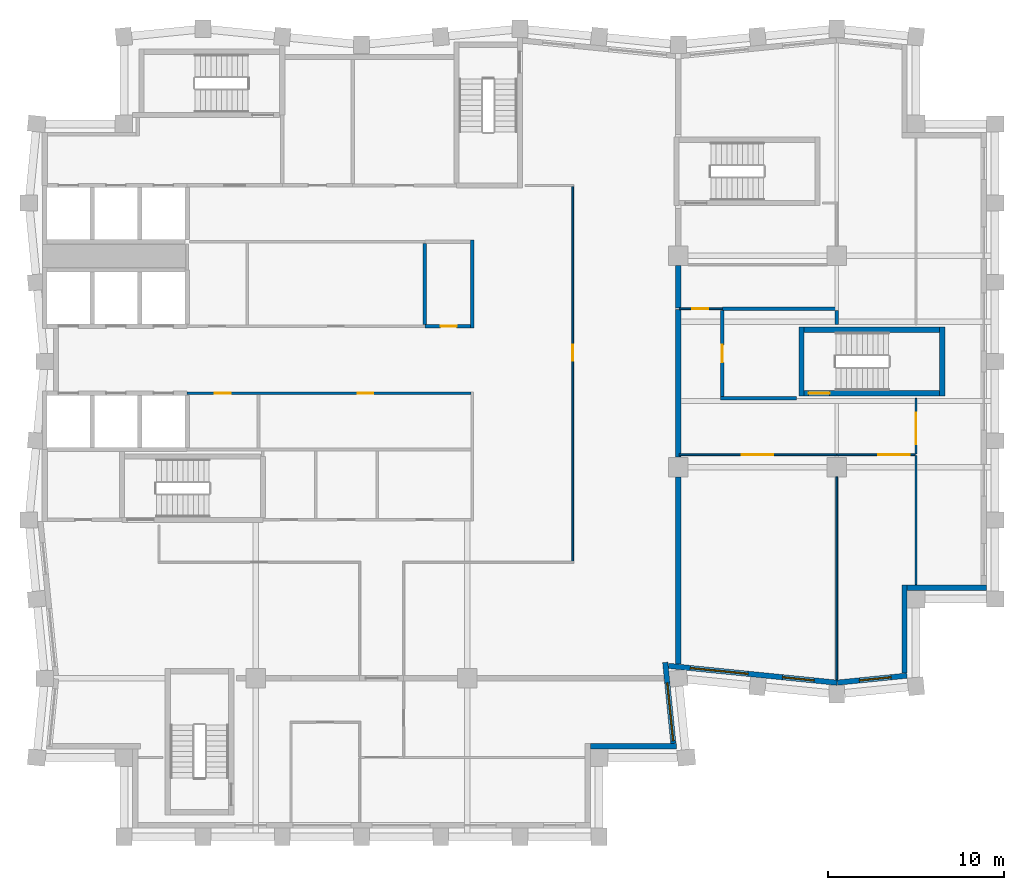
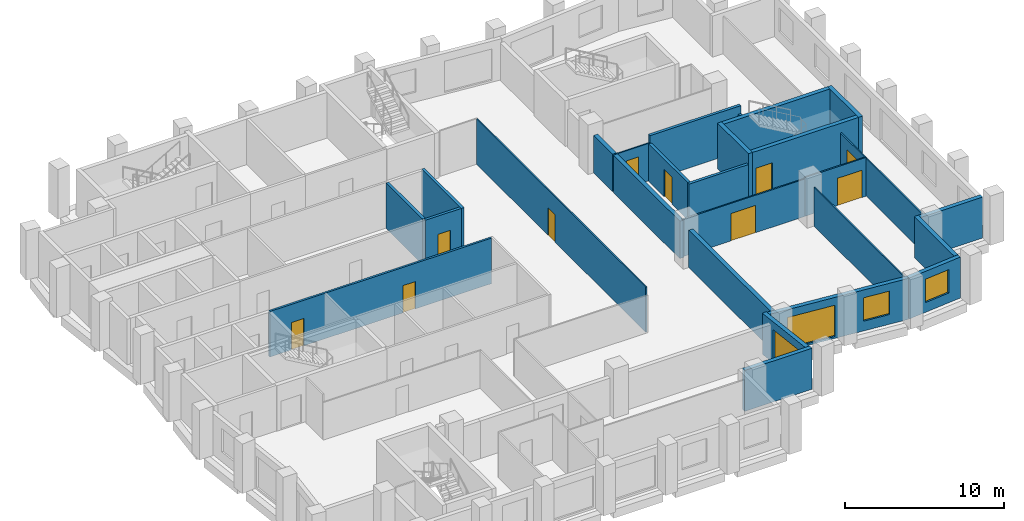
# One storey, part 4 of 7: 28 walls, 10 doors, 4 windows, 14 openings.
"""IFC4 building model written with IfcOpenShell, lengths in metres."""

import ifcopenshell
import ifcopenshell.guid

model = None  # the IFC model being written
_history = None  # IfcOwnerHistory: only IFC2X3 demands one
_inside = {}  # id of a spatial element -> (the spatial element, [elements in it])
_under = {}  # id of a project, library or spatial element -> (it, [spatial elements below it])
_declared = {}  # id of a project -> (the project, [libraries it declares])
_typed = {}  # id of a type object -> (the type object, [elements of that type])
_made_of = {}  # id of a material, layer set ... -> (it, [elements and type objects made of it])


def new_model(schema):
    """Start an empty IFC model of exactly this schema.

    Asked for "IFC4X3", IfcOpenShell would pick the latest addendum, in which some entities
    have other attributes; the version numbers below select the first issue.
    IFC2X3 requires an IfcOwnerHistory on every rooted entity: one is made here for all.
    """
    global model, _history
    if schema == "IFC4X3":
        model = ifcopenshell.file(schema_version=(4, 3, 0, 0))
    else:
        model = ifcopenshell.file(schema=schema)
    _inside.clear()
    _under.clear()
    _declared.clear()
    _typed.clear()
    _made_of.clear()
    _history = None
    if model.schema == "IFC2X3":
        org = make("IfcOrganization", Name="unknown")
        user = make(
            "IfcPersonAndOrganization",
            ThePerson=make("IfcPerson", FamilyName="unknown"),
            TheOrganization=org,
        )
        app = make(
            "IfcApplication",
            ApplicationDeveloper=org,
            Version="unknown",
            ApplicationFullName="unknown",
            ApplicationIdentifier="unknown",
        )
        _history = make(
            "IfcOwnerHistory",
            OwningUser=user,
            OwningApplication=app,
            ChangeAction="ADDED",
            CreationDate=0,
        )
    return model


def make(cls, **values):
    """One entity of the class cls with the attributes given. An attribute that is None is left unset."""
    return model.create_entity(
        cls, **{name: value for name, value in values.items() if value is not None}
    )


def rooted(cls, **values):
    """An entity with a GlobalId (a new one), such as an element, a storey or a relation."""
    return make(cls, GlobalId=ifcopenshell.guid.new(), OwnerHistory=_history, **values)


def si_unit(unit_type, name, prefix=None):
    """IfcSIUnit, for example si_unit("LENGTHUNIT", "METRE", prefix="MILLI")."""
    return make("IfcSIUnit", UnitType=unit_type, Prefix=prefix, Name=name)


def assignment(units):
    """IfcUnitAssignment: the units of a project."""
    return None if units is None else make("IfcUnitAssignment", Units=units)


def point(xyz):
    """IfcCartesianPoint."""
    return None if xyz is None else make("IfcCartesianPoint", Coordinates=xyz)


def direction(xyz):
    """IfcDirection."""
    return None if xyz is None else make("IfcDirection", DirectionRatios=xyz)


def frame(location, z_axis=None, x_axis=None):
    """IfcAxis2Placement3D, a coordinate frame: its origin and axes. An axis left out is left unset."""
    return make(
        "IfcAxis2Placement3D",
        Location=point(location),
        Axis=direction(z_axis),
        RefDirection=direction(x_axis),
    )


def frame_2d(location, x_axis=None):
    """IfcAxis2Placement2D, a coordinate frame in the plane: its origin and x axis."""
    return make(
        "IfcAxis2Placement2D", Location=point(location), RefDirection=direction(x_axis)
    )


def origin():
    """The frame at (0, 0, 0) with its axes left unset."""
    return frame((0.0, 0.0, 0.0))


def place(relative_to, where):
    """IfcLocalPlacement: puts the frame where relative to a parent placement (None: the world)."""
    return make(
        "IfcLocalPlacement", PlacementRelTo=relative_to, RelativePlacement=where
    )


def context(
    kind, dimensions, precision=None, world=None, true_north=None, identifier=None
):
    """IfcGeometricRepresentationContext, for example the 3D "Model" context."""
    return make(
        "IfcGeometricRepresentationContext",
        ContextIdentifier=identifier,
        ContextType=kind,
        CoordinateSpaceDimension=dimensions,
        Precision=precision,
        WorldCoordinateSystem=world,
        TrueNorth=true_north,
    )


def subcontext(parent, identifier, kind, view, scale=None):
    """IfcGeometricRepresentationSubContext, for example "Body" below "Model"."""
    return make(
        "IfcGeometricRepresentationSubContext",
        ContextIdentifier=identifier,
        ContextType=kind,
        ParentContext=parent,
        TargetScale=scale,
        TargetView=view,
    )


def project(units=None, contexts=None):
    """IfcProject with its units and contexts."""
    return rooted(
        "IfcProject",
        Name="project",
        RepresentationContexts=contexts,
        UnitsInContext=assignment(units),
    )


def spatial(cls, under=None, at=None, **own):
    """A site, building, storey or space (cls), placed at a placement, below another one or the project."""
    s = rooted(cls, ObjectPlacement=at, **own)
    if under is not None:
        _under.setdefault(under.id(), (under, []))[1].append(s)
    return s


def profile(cls, at=None, kind="AREA", **sizes):
    """A parametric profile (cls). Its sizes go by their IFC names, for example OverallWidth=200.0."""
    return make(cls, ProfileType=kind, Position=at, **sizes)


def rectangle(**sizes):
    """IfcRectangleProfileDef."""
    return profile("IfcRectangleProfileDef", **sizes)


def extrude(swept, where, along, depth):
    """IfcExtrudedAreaSolid: the profile swept, set in the frame where, extruded along a direction by depth."""
    return make(
        "IfcExtrudedAreaSolid",
        SweptArea=swept,
        Position=where,
        ExtrudedDirection=direction(along),
        Depth=depth,
    )


def shape(context_of_items, identifier, shape_type, items):
    """IfcShapeRepresentation: the items that make up one representation, for example the "Body"."""
    return make(
        "IfcShapeRepresentation",
        ContextOfItems=context_of_items,
        RepresentationIdentifier=identifier,
        RepresentationType=shape_type,
        Items=items,
    )


def material(Name=None, Category=None):
    """IfcMaterial."""
    return make("IfcMaterial", Name=Name, Category=Category)


def layer(
    of_material, thickness, ventilated=None, Name=None, Category=None, Priority=None
):
    """IfcMaterialLayer: one layer of a wall or slab, of a material (None: an air gap)."""
    return make(
        "IfcMaterialLayer",
        Material=of_material,
        LayerThickness=thickness,
        IsVentilated=ventilated,
        Name=Name,
        Category=Category,
        Priority=Priority,
    )


def layer_set(layers, Name=None):
    """IfcMaterialLayerSet."""
    return make("IfcMaterialLayerSet", MaterialLayers=layers, LayerSetName=Name)


def made_of(thing, what):
    """Note that an element or type object is made of a material, layer set ...; save() writes the relation."""
    if what is not None:
        _made_of.setdefault(what.id(), (what, []))[1].append(thing)
    return thing


def type_object(cls, material=None, **own):
    """A type object (cls), such as IfcWallType, which elements share."""
    return made_of(rooted(cls, **own), material)


def element(
    cls,
    number,
    at=None,
    inside=None,
    cuts=None,
    type_object=None,
    material=None,
    context=None,
    identifier="Body",
    shape_type=None,
    held_by="IfcProductDefinitionShape",
    body=None,
    shapes=None,
    **own,
):
    """One element of the class cls, such as IfcWall. Its Tag is "e" and its number.

    at: its placement. inside: the storey or other place that contains it. cuts: it is an
    opening in that element (IfcRelVoidsElement). A single representation is given by context,
    identifier, shape_type and body (its items); several are given by shapes. held_by: the class
    of the entity that holds the representations. save() writes the other relations.
    """
    e = rooted(cls, Tag="e%d" % number, ObjectPlacement=at, **own)
    if body is not None:
        shapes = [shape(context, identifier, shape_type, body)]
    if shapes is not None:
        e.Representation = make(held_by, Representations=shapes)
    if inside is not None:
        _inside.setdefault(inside.id(), (inside, []))[1].append(e)
    if cuts is not None:
        rooted(
            "IfcRelVoidsElement", RelatingBuildingElement=cuts, RelatedOpeningElement=e
        )
    if type_object is not None:
        _typed.setdefault(type_object.id(), (type_object, []))[1].append(e)
    return made_of(e, material)


def fill(opening, filler):
    """IfcRelFillsElement: the door or window that sits in an opening."""
    return rooted(
        "IfcRelFillsElement",
        RelatingOpeningElement=opening,
        RelatedBuildingElement=filler,
    )


def aggregate(whole, parts):
    """IfcRelAggregates: a whole, such as a stair, and the parts it consists of."""
    return rooted("IfcRelAggregates", RelatingObject=whole, RelatedObjects=parts)


def save(model, path):
    """Write the relations noted so far, then the file.

    IfcRelAggregates (storeys below a building ...), IfcRelContainedInSpatialStructure (elements
    in a storey), IfcRelDefinesByType, IfcRelAssociatesMaterial and IfcRelDeclares: one each for
    every whole, place, type object, material and project.
    """
    for whole, parts in _under.values():
        aggregate(whole, parts)
    for where, things in _inside.values():
        rooted(
            "IfcRelContainedInSpatialStructure",
            RelatedElements=things,
            RelatingStructure=where,
        )
    for kind, things in _typed.values():
        rooted("IfcRelDefinesByType", RelatedObjects=things, RelatingType=kind)
    for what, things in _made_of.values():
        rooted("IfcRelAssociatesMaterial", RelatedObjects=things, RelatingMaterial=what)
    for by, libraries in _declared.values():
        rooted("IfcRelDeclares", RelatingContext=by, RelatedDefinitions=libraries)
    model.write(path)


model = new_model("IFC4")

# Units and contexts
model_context = context("Model", 3, precision=1e-05, world=origin(), true_north=direction((0.0, 1.0)))
body_context = subcontext(model_context, "Body", "Model", "MODEL_VIEW")
ifc_project = project(units=[si_unit("LENGTHUNIT", "METRE"), si_unit("AREAUNIT", "SQUARE_METRE"), si_unit("VOLUMEUNIT", "CUBIC_METRE"), si_unit("PLANEANGLEUNIT", "RADIAN"), si_unit("MASSUNIT", "GRAM", prefix="KILO")], contexts=[model_context])

# Site, building, storey
site_placement = place(None, origin())
site = spatial("IfcSite", under=ifc_project, at=site_placement, CompositionType="ELEMENT")
building_placement = place(site_placement, origin())
building = spatial("IfcBuilding", under=site, at=building_placement, Name="Brondeck Convention Tower", CompositionType="ELEMENT")
storey_placement = place(building_placement, frame((0.0, 0.0, 206.39990234375)))
storey = spatial("IfcBuildingStorey", under=building, at=storey_placement, Name="L50", CompositionType="ELEMENT", Elevation=206.39990234375)

# Walls
ifc_material_1 = material(Name="Concrete compartment wall C30/37", Category="concrete")
ifc_layer_1 = layer(ifc_material_1, 0.300048828125)
ifc_layer_set_1 = layer_set([ifc_layer_1], Name="Compartment wall 300")
wall_type_1 = type_object("IfcWallType", Name="Compartment wall 300", PredefinedType="PARTITIONING", material=ifc_layer_set_1)
wall_1_placement = place(storey_placement, frame((36.0, 27.823974609375, 0.0), z_axis=(0.0, 0.0, 1.0), x_axis=(0.0, 1.0, 0.0)))
element("IfcWall", 1, at=wall_1_placement, inside=storey, type_object=wall_type_1, Name="FLR-L50-W021", PredefinedType="PARTITIONING", context=body_context, shape_type="SweptSolid", body=[
    extrude(rectangle(XDim=10.62109375, YDim=0.300048828125, at=frame_2d((5.310546875, 0.0))), origin(), (0.0, 0.0, 1.0), 2.880126953125),
])
wall_2_placement = place(storey_placement, frame((36.0, 39.570068359375, 0.0), z_axis=(0.0, 0.0, 1.0), x_axis=(0.0, 1.0, 0.0)))
element("IfcWall", 2, at=wall_2_placement, inside=storey, type_object=wall_type_1, Name="FLR-L50-W031", PredefinedType="PARTITIONING", context=body_context, shape_type="SweptSolid", body=[
    extrude(rectangle(XDim=8.3798828125, YDim=0.300048828125, at=frame_2d((4.18994140625, 0.0))), origin(), (0.0, 0.0, 1.0), 2.880126953125),
])
wall_3_placement = place(storey_placement, frame((36.0, 48.050048828125, 0.0), z_axis=(0.0, 0.0, 1.0), x_axis=(0.0, 1.0, 0.0)))
element("IfcWall", 3, at=wall_3_placement, inside=storey, type_object=wall_type_1, Name="FLR-L50-W039", PredefinedType="PARTITIONING", context=body_context, shape_type="SweptSolid", body=[
    extrude(rectangle(XDim=2.39501953125, YDim=0.300048828125, at=frame_2d((1.197509765625, 0.0))), origin(), (0.0, 0.0, 1.0), 2.880126953125),
])
ifc_material_2 = material(Name="Concrete C50/60", Category="concrete")
ifc_layer_2 = layer(ifc_material_2, 0.199951171875)
ifc_layer_set_2 = layer_set([ifc_layer_2], Name="Core beam-seat wall 200 Concrete C50/60")
wall_type_2 = type_object("IfcWallType", Name="Core beam-seat wall 200 Concrete C50/60", PredefinedType="SHEAR", material=ifc_layer_set_2)
wall_4_placement = place(storey_placement, frame((24.300048828125, 46.89990234375, 0.0), z_axis=(0.0, 0.0, 1.0), x_axis=(0.0, 1.0, 0.0)))
element("IfcWall", 4, at=wall_4_placement, inside=storey, type_object=wall_type_2, Name="L50 core wall", PredefinedType="SHEAR", context=body_context, shape_type="SweptSolid", body=[
    extrude(rectangle(XDim=5.0, YDim=0.199951171875, at=frame_2d((2.5, 0.0))), origin(), (0.0, 0.0, 1.0), 3.5),
])

# Wall, openings, doors
ifc_material_3 = material(Name="Fire-rated gypsum board partition")
ifc_layer_3 = layer(ifc_material_3, 0.14990234375)
ifc_layer_set_3 = layer_set([ifc_layer_3], Name="Core partition 150 EI 60")
wall_type_3 = type_object("IfcWallType", Name="Core partition 150 EI 60", PredefinedType="PARTITIONING", material=ifc_layer_set_3)
wall_5_placement = place(storey_placement, frame((8.10009765625, 43.199951171875, 0.0), z_axis=(0.0, 0.0, 1.0), x_axis=(1.0, 0.0, 0.0)))
wall_5 = element("IfcWall", 5, at=wall_5_placement, inside=storey, type_object=wall_type_3, Name="L50 core wall", PredefinedType="PARTITIONING", context=body_context, shape_type="SweptSolid", body=[
    extrude(rectangle(XDim=16.125, YDim=0.14990234375, at=frame_2d((8.0625, 0.0))), origin(), (0.0, 0.0, 1.0), 3.5),
])
opening_1_placement = place(wall_5_placement, frame((1.574951171875, 0.0, 0.0)))
opening_1 = element("IfcOpeningElement", 6, at=opening_1_placement, cuts=wall_5, Name="Opening C28-09", PredefinedType="OPENING", context=body_context, shape_type="SweptSolid", body=[
    extrude(rectangle(XDim=0.89990234375, YDim=2.10009765625, at=frame_2d((0.449951171875, 1.050048828125))), frame((0.0, 0.0849609375, 0.0), z_axis=(0.0, -1.0, 0.0), x_axis=(1.0, 0.0, 0.0)), (0.0, 0.0, 1.0), 0.169921875),
])
opening_2_placement = place(wall_5_placement, frame((9.675048828125, 0.0, 0.0)))
opening_2 = element("IfcOpeningElement", 7, at=opening_2_placement, cuts=wall_5, Name="Opening C28-10", PredefinedType="OPENING", context=body_context, shape_type="SweptSolid", body=[
    extrude(rectangle(XDim=0.89990234375, YDim=2.10009765625, at=frame_2d((0.449951171875, 1.050048828125))), frame((0.0, 0.0849609375, 0.0), z_axis=(0.0, -1.0, 0.0), x_axis=(1.0, 0.0, 0.0)), (0.0, 0.0, 1.0), 0.169921875),
])
ifc_material_4 = material(Name="Steel fire door", Category="steel")
door_type_1 = type_object("IfcDoorType", Name="Room door 900x2100 EI 60", OperationType="NOTDEFINED", PredefinedType="DOOR", material=ifc_material_4)
door_1_placement = place(opening_1_placement, origin())
door_1 = element("IfcDoor", 8, at=door_1_placement, inside=storey, type_object=door_type_1, Name="L50 Room door FZ-S-8.1-1", OperationType="SINGLE_SWING_RIGHT", OverallHeight=2.10009765625, OverallWidth=0.89990234375, PredefinedType="DOOR", context=body_context, shape_type="SweptSolid", body=[
    extrude(rectangle(XDim=0.89990234375, YDim=2.10009765625, at=frame_2d((0.449951171875, 1.050048828125))), frame((0.0, 0.02490234375, 0.0), z_axis=(0.0, -1.0, 0.0), x_axis=(1.0, 0.0, 0.0)), (0.0, 0.0, 1.0), 0.050048828125),
])
fill(opening_1, door_1)
door_2_placement = place(opening_2_placement, origin())
door_2 = element("IfcDoor", 9, at=door_2_placement, inside=storey, type_object=door_type_1, Name="L50 Room door FZ-S-8.1-2", OperationType="SINGLE_SWING_LEFT", OverallHeight=2.10009765625, OverallWidth=0.89990234375, PredefinedType="DOOR", context=body_context, shape_type="SweptSolid", body=[
    extrude(rectangle(XDim=0.89990234375, YDim=2.10009765625, at=frame_2d((0.449951171875, 1.050048828125))), frame((0.0, 0.02490234375, 0.0), z_axis=(0.0, -1.0, 0.0), x_axis=(1.0, 0.0, 0.0)), (0.0, 0.0, 1.0), 0.050048828125),
])
fill(opening_2, door_2)

# Wall
ifc_material_5 = material(Name="Precast concrete C50/60 bronze finish", Category="concrete")
ifc_layer_4 = layer(ifc_material_5, 0.070068359375, Name="Bronze precast facing")
ifc_material_6 = material(Name="Mineral wool")
ifc_layer_5 = layer(ifc_material_6, 0.159912109375, Name="Insulation")
ifc_material_7 = material(Name="Concrete C35/45", Category="concrete")
ifc_layer_6 = layer(ifc_material_7, 0.070068359375, Name="Backing")
ifc_layer_set_4 = layer_set([ifc_layer_4, ifc_layer_5, ifc_layer_6], Name="External infill wall, precast concrete C50/60 bronze facing")
wall_type_4 = type_object("IfcWallType", Name="External infill wall, precast concrete C50/60 bronze facing", PredefinedType="SOLIDWALL", material=ifc_layer_set_4)
wall_6_placement = place(storey_placement, frame((35.8974609375, 23.14990234375, 0.0), z_axis=(0.0, 0.0, 1.0), x_axis=(-1.0, 0.0, 0.0)))
element("IfcWall", 10, at=wall_6_placement, inside=storey, type_object=wall_type_4, Name="ENV-EW-L50-P2-NC-SEB18-02", PredefinedType="SOLIDWALL", context=body_context, shape_type="SweptSolid", body=[
    extrude(rectangle(XDim=4.8974609375, YDim=0.300048828125, at=frame_2d((2.44873046875, 0.0))), origin(), (0.0, 0.0, 1.0), 3.150146484375),
])

# Wall, opening, window
wall_7_placement = place(storey_placement, frame((35.255859375, 27.908203125, 0.0), z_axis=(0.0, 0.0, 1.0), x_axis=(0.099535070904, -0.995034054523, 0.0)))
wall_7 = element("IfcWall", 11, at=wall_7_placement, inside=storey, type_object=wall_type_4, Name="ENV-EW-L50-P2-B-E-00", PredefinedType="SOLIDWALL", context=body_context, shape_type="SweptSolid", body=[
    extrude(rectangle(XDim=4.6259765625, YDim=0.300048828125, at=frame_2d((2.31298828125, 0.0))), origin(), (0.0, 0.0, 1.0), 3.150146484375),
])
opening_3_placement = place(wall_7_placement, frame((1.176025390625, 0.0, 0.14990234375)))
opening_3 = element("IfcOpeningElement", 12, at=opening_3_placement, cuts=wall_7, Name="Opening W9", PredefinedType="OPENING", context=body_context, shape_type="SweptSolid", body=[
    extrude(rectangle(XDim=3.300048828125, YDim=2.39990234375, at=frame_2d((1.64990234375, 1.199951171875))), frame((0.0, 0.159912109375, 0.0), z_axis=(0.0, -1.0, 0.0), x_axis=(1.0, 0.0, 0.0)), (0.0, 0.0, 1.0), 0.320068359375),
])
ifc_material_8 = material(Name="Bronze tinted double glazing", Category="glass")
window_type_1 = type_object("IfcWindowType", Name="Glazed flute window, bronze tinted", PartitioningType="SINGLE_PANEL", PredefinedType="WINDOW", material=ifc_material_8)
window_1_placement = place(opening_3_placement, origin())
window_1 = element("IfcWindow", 13, at=window_1_placement, inside=storey, type_object=window_type_1, Name="ENV-WN-L50-P2-B-E-00", OverallHeight=2.39990234375, OverallWidth=3.300048828125, PartitioningType="SINGLE_PANEL", PredefinedType="WINDOW", context=body_context, shape_type="SweptSolid", body=[
    extrude(rectangle(XDim=3.300048828125, YDim=2.39990234375, at=frame_2d((1.64990234375, 1.199951171875))), frame((0.0, 0.030029296875, 0.0), z_axis=(0.0, -1.0, 0.0), x_axis=(1.0, 0.0, 0.0)), (0.0, 0.0, 1.0), 0.06005859375),
])
fill(opening_3, window_1)

# Wall, openings, windows
wall_8_placement = place(storey_placement, frame((45.014892578125, 26.751708984375, 0.0), z_axis=(0.0, 0.0, 1.0), x_axis=(-0.9950379439, 0.099496181828, 0.0)))
wall_8 = element("IfcWall", 14, at=wall_8_placement, inside=storey, type_object=wall_type_4, Name="ENV-EW-L50-P2-A-S-00", PredefinedType="SOLIDWALL", context=body_context, shape_type="SweptSolid", body=[
    extrude(rectangle(XDim=9.621337890625, YDim=0.300048828125, at=frame_2d((4.810546875, 0.0))), origin(), (0.0, 0.0, 1.0), 3.150146484375),
])
opening_4_placement = place(wall_8_placement, frame((1.311279296875, 0.0, 0.75)))
opening_4 = element("IfcOpeningElement", 15, at=opening_4_placement, cuts=wall_8, Name="Opening W10", PredefinedType="OPENING", context=body_context, shape_type="SweptSolid", body=[
    extrude(rectangle(XDim=1.800048828125, YDim=1.800048828125, at=frame_2d((0.89990234375, 0.89990234375))), frame((0.0, 0.159912109375, 0.0), z_axis=(0.0, -1.0, 0.0), x_axis=(1.0, 0.0, 0.0)), (0.0, 0.0, 1.0), 0.320068359375),
])
opening_5_placement = place(wall_8_placement, frame((5.08349609375, 0.0, 0.14990234375)))
opening_5 = element("IfcOpeningElement", 16, at=opening_5_placement, cuts=wall_8, Name="Opening W9", PredefinedType="OPENING", context=body_context, shape_type="SweptSolid", body=[
    extrude(rectangle(XDim=3.300048828125, YDim=2.39990234375, at=frame_2d((1.64990234375, 1.199951171875))), frame((0.0, 0.159912109375, 0.0), z_axis=(0.0, -1.0, 0.0), x_axis=(1.0, 0.0, 0.0)), (0.0, 0.0, 1.0), 0.320068359375),
])
window_2_placement = place(opening_5_placement, origin())
window_2 = element("IfcWindow", 17, at=window_2_placement, inside=storey, type_object=window_type_1, Name="ENV-WN-L50-P2-A-S-00", OverallHeight=2.39990234375, OverallWidth=3.300048828125, PartitioningType="SINGLE_PANEL", PredefinedType="WINDOW", context=body_context, shape_type="SweptSolid", body=[
    extrude(rectangle(XDim=3.300048828125, YDim=2.39990234375, at=frame_2d((1.64990234375, 1.199951171875))), frame((0.0, 0.030029296875, 0.0), z_axis=(0.0, -1.0, 0.0), x_axis=(1.0, 0.0, 0.0)), (0.0, 0.0, 1.0), 0.06005859375),
])
fill(opening_5, window_2)
window_type_2 = type_object("IfcWindowType", Name="Punched window, bronze tinted", PartitioningType="SINGLE_PANEL", PredefinedType="WINDOW", material=ifc_material_8)
window_3_placement = place(opening_4_placement, origin())
window_3 = element("IfcWindow", 18, at=window_3_placement, inside=storey, type_object=window_type_2, Name="ENV-WN-L50-P2-A-S-01", OverallHeight=1.800048828125, OverallWidth=1.800048828125, PartitioningType="SINGLE_PANEL", PredefinedType="WINDOW", context=body_context, shape_type="SweptSolid", body=[
    extrude(rectangle(XDim=1.800048828125, YDim=1.800048828125, at=frame_2d((0.89990234375, 0.89990234375))), frame((0.0, 0.030029296875, 0.0), z_axis=(0.0, -1.0, 0.0), x_axis=(1.0, 0.0, 0.0)), (0.0, 0.0, 1.0), 0.06005859375),
])
fill(opening_4, window_3)

# Wall, opening, window
wall_9_placement = place(storey_placement, frame((48.985107421875, 27.151611328125, 0.0), z_axis=(0.0, 0.0, 1.0), x_axis=(-0.995037798293, -0.099497638, 0.0)))
wall_9 = element("IfcWall", 19, at=wall_9_placement, inside=storey, type_object=wall_type_4, Name="ENV-EW-L50-P2-A-S-02", PredefinedType="SOLIDWALL", context=body_context, shape_type="SweptSolid", body=[
    extrude(rectangle(XDim=3.97509765625, YDim=0.300048828125, at=frame_2d((1.987548828125, 0.0))), origin(), (0.0, 0.0, 1.0), 3.150146484375),
])
opening_6_placement = place(wall_9_placement, frame((0.90869140625, 0.0, 0.75)))
opening_6 = element("IfcOpeningElement", 20, at=opening_6_placement, cuts=wall_9, Name="Opening W10", PredefinedType="OPENING", context=body_context, shape_type="SweptSolid", body=[
    extrude(rectangle(XDim=1.800048828125, YDim=1.800048828125, at=frame_2d((0.89990234375, 0.89990234375))), frame((0.0, 0.159912109375, 0.0), z_axis=(0.0, -1.0, 0.0), x_axis=(1.0, 0.0, 0.0)), (0.0, 0.0, 1.0), 0.320068359375),
])
window_4_placement = place(opening_6_placement, origin())
window_4 = element("IfcWindow", 21, at=window_4_placement, inside=storey, type_object=window_type_2, Name="ENV-WN-L50-P2-A-S-02", OverallHeight=1.800048828125, OverallWidth=1.800048828125, PartitioningType="SINGLE_PANEL", PredefinedType="WINDOW", context=body_context, shape_type="SweptSolid", body=[
    extrude(rectangle(XDim=1.800048828125, YDim=1.800048828125, at=frame_2d((0.89990234375, 0.89990234375))), frame((0.0, 0.030029296875, 0.0), z_axis=(0.0, -1.0, 0.0), x_axis=(1.0, 0.0, 0.0)), (0.0, 0.0, 1.0), 0.06005859375),
])
fill(opening_6, window_4)

# Walls
wall_10_placement = place(storey_placement, frame((48.85009765625, 32.300048828125, 0.0), z_axis=(0.0, 0.0, 1.0), x_axis=(0.0, -1.0, 0.0)))
element("IfcWall", 22, at=wall_10_placement, inside=storey, type_object=wall_type_4, Name="ENV-EW-L50-P2-NC-SEA54-01", PredefinedType="SOLIDWALL", context=body_context, shape_type="SweptSolid", body=[
    extrude(rectangle(XDim=5.009765625, YDim=0.300048828125, at=frame_2d((2.5048828125, 0.0))), origin(), (0.0, 0.0, 1.0), 3.150146484375),
])
wall_11_placement = place(storey_placement, frame((53.5, 32.14990234375, 0.0), z_axis=(0.0, 0.0, 1.0), x_axis=(-1.0, 0.0, 0.0)))
element("IfcWall", 23, at=wall_11_placement, inside=storey, type_object=wall_type_4, Name="ENV-EW-L50-P2-NC-SEA54-02", PredefinedType="SOLIDWALL", context=body_context, shape_type="SweptSolid", body=[
    extrude(rectangle(XDim=4.501953125, YDim=0.300048828125, at=frame_2d((2.2509765625, 0.0))), origin(), (0.0, 0.0, 1.0), 3.150146484375),
])
ifc_material_9 = material(Name="Concrete block wall C16/20", Category="concrete")
ifc_layer_7 = layer(ifc_material_9, 0.199951171875)
ifc_layer_set_5 = layer_set([ifc_layer_7], Name="Plant room wall 200")
wall_type_5 = type_object("IfcWallType", Name="Plant room wall 200", PredefinedType="PARTITIONING", material=ifc_layer_set_5)
wall_12_placement = place(storey_placement, frame((38.39990234375, 42.89990234375, 0.0), z_axis=(0.0, 0.0, 1.0), x_axis=(1.0, 0.0, 0.0)))
element("IfcWall", 24, at=wall_12_placement, inside=storey, type_object=wall_type_5, Name="FLR-L50-W032", PredefinedType="PARTITIONING", context=body_context, shape_type="SweptSolid", body=[
    extrude(rectangle(XDim=4.300048828125, YDim=0.199951171875, at=frame_2d((2.14990234375, 0.0))), origin(), (0.0, 0.0, 1.0), 2.880126953125),
])

# Wall, opening, door
wall_13_placement = place(storey_placement, frame((38.5, 47.89990234375, 0.0), z_axis=(0.0, 0.0, 1.0), x_axis=(0.0, -1.0, 0.0)))
wall_13 = element("IfcWall", 25, at=wall_13_placement, inside=storey, type_object=wall_type_5, Name="FLR-L50-W035", PredefinedType="PARTITIONING", context=body_context, shape_type="SweptSolid", body=[
    extrude(rectangle(XDim=4.89990234375, YDim=0.199951171875, at=frame_2d((2.449951171875, 0.0))), origin(), (0.0, 0.0, 1.0), 2.880126953125),
])
opening_7_placement = place(wall_13_placement, frame((1.949951171875, 0.0, 0.0)))
opening_7 = element("IfcOpeningElement", 26, at=opening_7_placement, cuts=wall_13, Name="Opening OF-K2-001", PredefinedType="OPENING", context=body_context, shape_type="SweptSolid", body=[
    extrude(rectangle(XDim=1.0, YDim=2.10009765625, at=frame_2d((0.5, 1.050048828125))), frame((0.0, 0.10986328125, 0.0), z_axis=(0.0, -1.0, 0.0), x_axis=(1.0, 0.0, 0.0)), (0.0, 0.0, 1.0), 0.219970703125),
])
ifc_material_10 = material(Name="Steel fire door leaf", Category="steel")
door_type_2 = type_object("IfcDoorType", Name="Plant room door 1000", OperationType="NOTDEFINED", PredefinedType="DOOR", material=ifc_material_10)
door_3_placement = place(opening_7_placement, origin())
door_3 = element("IfcDoor", 27, at=door_3_placement, inside=storey, type_object=door_type_2, Name="Door OF-K2-001", OperationType="SINGLE_SWING_RIGHT", OverallHeight=2.10009765625, OverallWidth=1.0, PredefinedType="DOOR", context=body_context, shape_type="SweptSolid", body=[
    extrude(rectangle(XDim=1.0, YDim=2.10009765625, at=frame_2d((0.5, 1.050048828125))), frame((0.0, 0.02490234375, 0.0), z_axis=(0.0, -1.0, 0.0), x_axis=(1.0, 0.0, 0.0)), (0.0, 0.0, 1.0), 0.050048828125),
])
fill(opening_7, door_3)

# Walls
wall_14_placement = place(storey_placement, frame((45.0, 47.89990234375, 0.0), z_axis=(0.0, 0.0, 1.0), x_axis=(0.0, -1.0, 0.0)))
element("IfcWall", 28, at=wall_14_placement, inside=storey, type_object=wall_type_5, Name="FLR-L50-W036", PredefinedType="PARTITIONING", context=body_context, shape_type="SweptSolid", body=[
    extrude(rectangle(XDim=0.7998046875, YDim=0.199951171875, at=frame_2d((0.39990234375, 0.0))), origin(), (0.0, 0.0, 1.0), 2.880126953125),
])
wall_15_placement = place(storey_placement, frame((38.5, 48.0, 0.0), z_axis=(0.0, 0.0, 1.0), x_axis=(1.0, 0.0, 0.0)))
element("IfcWall", 29, at=wall_15_placement, inside=storey, type_object=wall_type_5, Name="FLR-L50-W038", PredefinedType="PARTITIONING", context=body_context, shape_type="SweptSolid", body=[
    extrude(rectangle(XDim=6.60009765625, YDim=0.199951171875, at=frame_2d((3.300048828125, 0.0))), origin(), (0.0, 0.0, 1.0), 3.47998046875),
])

# Wall, opening, door
ifc_layer_8 = layer(ifc_material_3, 0.199951171875)
ifc_layer_set_6 = layer_set([ifc_layer_8], Name="Riser wall 200 EI 120")
wall_type_6 = type_object("IfcWallType", Name="Riser wall 200 EI 120", PredefinedType="PARTITIONING", material=ifc_layer_set_6)
wall_16_placement = place(storey_placement, frame((21.60009765625, 47.0, 0.0), z_axis=(0.0, 0.0, 1.0), x_axis=(1.0, 0.0, 0.0)))
wall_16 = element("IfcWall", 30, at=wall_16_placement, inside=storey, type_object=wall_type_6, Name="L50 core wall", PredefinedType="PARTITIONING", context=body_context, shape_type="SweptSolid", body=[
    extrude(rectangle(XDim=2.599853515625, YDim=0.199951171875, at=frame_2d((1.2998046875, 0.0))), origin(), (0.0, 0.0, 1.0), 3.5),
])
opening_8_placement = place(wall_16_placement, frame((0.89990234375, 0.0, 0.0)))
opening_8 = element("IfcOpeningElement", 31, at=opening_8_placement, cuts=wall_16, Name="Opening C28-02", PredefinedType="OPENING", context=body_context, shape_type="SweptSolid", body=[
    extrude(rectangle(XDim=0.89990234375, YDim=2.10009765625, at=frame_2d((0.449951171875, 1.050048828125))), frame((0.0, 0.10986328125, 0.0), z_axis=(0.0, -1.0, 0.0), x_axis=(1.0, 0.0, 0.0)), (0.0, 0.0, 1.0), 0.219970703125),
])
door_type_3 = type_object("IfcDoorType", Name="Riser door 900x2100 EI 120", OperationType="NOTDEFINED", PredefinedType="DOOR", material=ifc_material_4)
door_4_placement = place(opening_8_placement, origin())
door_4 = element("IfcDoor", 32, at=door_4_placement, inside=storey, type_object=door_type_3, Name="L50 Riser door EN-1", OperationType="SINGLE_SWING_LEFT", OverallHeight=2.10009765625, OverallWidth=0.89990234375, PredefinedType="DOOR", context=body_context, shape_type="SweptSolid", body=[
    extrude(rectangle(XDim=0.89990234375, YDim=2.10009765625, at=frame_2d((0.449951171875, 1.050048828125))), frame((0.0, 0.02490234375, 0.0), z_axis=(0.0, -1.0, 0.0), x_axis=(1.0, 0.0, 0.0)), (0.0, 0.0, 1.0), 0.050048828125),
])
fill(opening_8, door_4)

# Walls
wall_17_placement = place(storey_placement, frame((21.60009765625, 47.10009765625, 0.0), z_axis=(0.0, 0.0, 1.0), x_axis=(0.0, 1.0, 0.0)))
element("IfcWall", 33, at=wall_17_placement, inside=storey, type_object=wall_type_6, Name="L50 core wall", PredefinedType="PARTITIONING", context=body_context, shape_type="SweptSolid", body=[
    extrude(rectangle(XDim=4.599853515625, YDim=0.199951171875, at=frame_2d((2.2998046875, 0.0))), origin(), (0.0, 0.0, 1.0), 3.5),
])
ifc_material_11 = material(Name="Gypsum board partition on steel studs", Category="steel")
ifc_layer_9 = layer(ifc_material_11, 0.10009765625)
ifc_layer_set_7 = layer_set([ifc_layer_9], Name="Room partition 100")
wall_type_7 = type_object("IfcWallType", Name="Room partition 100", PredefinedType="PARTITIONING", material=ifc_layer_set_7)
wall_18_placement = place(storey_placement, frame((49.5, 32.320068359375, 0.0), z_axis=(0.0, 0.0, 1.0), x_axis=(0.0, 1.0, 0.0)))
element("IfcWall", 34, at=wall_18_placement, inside=storey, type_object=wall_type_7, Name="FLR-L50-W023", PredefinedType="PARTITIONING", context=body_context, shape_type="SweptSolid", body=[
    extrude(rectangle(XDim=7.329833984375, YDim=0.10009765625, at=frame_2d((3.6650390625, 0.0))), origin(), (0.0, 0.0, 1.0), 2.880126953125),
])
wall_19_placement = place(storey_placement, frame((45.0, 38.445068359375, 0.0), z_axis=(0.0, 0.0, 1.0), x_axis=(0.0, -1.0, 0.0)))
element("IfcWall", 35, at=wall_19_placement, inside=storey, type_object=wall_type_7, Name="FLR-L50-W028", PredefinedType="PARTITIONING", context=body_context, shape_type="SweptSolid", body=[
    extrude(rectangle(XDim=11.52099609375, YDim=0.10009765625, at=frame_2d((5.760498046875, 0.0))), origin(), (0.0, 0.0, 1.0), 2.97998046875),
])

# Wall, opening, door
wall_20_placement = place(storey_placement, frame((45.0, 39.699951171875, 0.0), z_axis=(0.0, 0.0, 1.0), x_axis=(-1.0, 0.0, 0.0)))
wall_20 = element("IfcWall", 36, at=wall_20_placement, inside=storey, type_object=wall_type_7, Name="FLR-L50-W029", PredefinedType="PARTITIONING", context=body_context, shape_type="SweptSolid", body=[
    extrude(rectangle(XDim=8.949951171875, YDim=0.10009765625, at=frame_2d((4.47509765625, 0.0))), origin(), (0.0, 0.0, 1.0), 2.880126953125),
])
opening_9_placement = place(wall_20_placement, frame((3.60009765625, 0.0, 0.0)))
opening_9 = element("IfcOpeningElement", 37, at=opening_9_placement, cuts=wall_20, Name="Opening OF-K2-004", PredefinedType="OPENING", context=body_context, shape_type="SweptSolid", body=[
    extrude(rectangle(XDim=1.800048828125, YDim=2.10009765625, at=frame_2d((0.89990234375, 1.050048828125))), frame((0.0, 0.06005859375, 0.0), z_axis=(0.0, -1.0, 0.0), x_axis=(1.0, 0.0, 0.0)), (0.0, 0.0, 1.0), 0.1201171875),
])
ifc_material_12 = material(Name="Glazed timber double door", Category="wood")
door_type_4 = type_object("IfcDoorType", Name="Double door 1800", OperationType="DOUBLE_DOOR_SINGLE_SWING", PredefinedType="DOOR", material=ifc_material_12)
door_5_placement = place(opening_9_placement, origin())
door_5 = element("IfcDoor", 38, at=door_5_placement, inside=storey, type_object=door_type_4, Name="Door OF-K2-004", OperationType="DOUBLE_DOOR_SINGLE_SWING", OverallHeight=2.10009765625, OverallWidth=1.800048828125, PredefinedType="DOOR", context=body_context, shape_type="SweptSolid", body=[
    extrude(rectangle(XDim=1.800048828125, YDim=2.10009765625, at=frame_2d((0.89990234375, 1.050048828125))), frame((0.0, 0.02490234375, 0.0), z_axis=(0.0, -1.0, 0.0), x_axis=(1.0, 0.0, 0.0)), (0.0, 0.0, 1.0), 0.050048828125),
])
fill(opening_9, door_5)

wall_21_placement = place(storey_placement, frame((49.449951171875, 39.699951171875, 0.0), z_axis=(0.0, 0.0, 1.0), x_axis=(-1.0, 0.0, 0.0)))
wall_21 = element("IfcWall", 39, at=wall_21_placement, inside=storey, type_object=wall_type_7, Name="FLR-L50-W030", PredefinedType="PARTITIONING", context=body_context, shape_type="SweptSolid", body=[
    extrude(rectangle(XDim=4.449951171875, YDim=0.10009765625, at=frame_2d((2.22509765625, 0.0))), origin(), (0.0, 0.0, 1.0), 2.97998046875),
])
opening_10_placement = place(wall_21_placement, frame((0.303955078125, 0.0, 0.0)))
opening_10 = element("IfcOpeningElement", 40, at=opening_10_placement, cuts=wall_21, Name="Opening OF-K2-005", PredefinedType="OPENING", context=body_context, shape_type="SweptSolid", body=[
    extrude(rectangle(XDim=1.800048828125, YDim=2.10009765625, at=frame_2d((0.89990234375, 1.050048828125))), frame((0.0, 0.06005859375, 0.0), z_axis=(0.0, -1.0, 0.0), x_axis=(1.0, 0.0, 0.0)), (0.0, 0.0, 1.0), 0.1201171875),
])
door_6_placement = place(opening_10_placement, origin())
door_6 = element("IfcDoor", 41, at=door_6_placement, inside=storey, type_object=door_type_4, Name="Door OF-K2-005", OperationType="DOUBLE_DOOR_SINGLE_SWING", OverallHeight=2.10009765625, OverallWidth=1.800048828125, PredefinedType="DOOR", context=body_context, shape_type="SweptSolid", body=[
    extrude(rectangle(XDim=1.800048828125, YDim=2.10009765625, at=frame_2d((0.89990234375, 1.050048828125))), frame((0.0, 0.02490234375, 0.0), z_axis=(0.0, -1.0, 0.0), x_axis=(1.0, 0.0, 0.0)), (0.0, 0.0, 1.0), 0.050048828125),
])
fill(opening_10, door_6)

wall_22_placement = place(storey_placement, frame((49.5, 42.89990234375, 0.0), z_axis=(0.0, 0.0, 1.0), x_axis=(0.0, -1.0, 0.0)))
wall_22 = element("IfcWall", 42, at=wall_22_placement, inside=storey, type_object=wall_type_7, Name="FLR-L50-W033", PredefinedType="PARTITIONING", context=body_context, shape_type="SweptSolid", body=[
    extrude(rectangle(XDim=3.14990234375, YDim=0.10009765625, at=frame_2d((1.574951171875, 0.0))), origin(), (0.0, 0.0, 1.0), 2.880126953125),
])
opening_11_placement = place(wall_22_placement, frame((0.800048828125, 0.0, 0.0)))
opening_11 = element("IfcOpeningElement", 43, at=opening_11_placement, cuts=wall_22, Name="Opening OF-K2-003", PredefinedType="OPENING", context=body_context, shape_type="SweptSolid", body=[
    extrude(rectangle(XDim=1.800048828125, YDim=2.10009765625, at=frame_2d((0.89990234375, 1.050048828125))), frame((0.0, 0.06005859375, 0.0), z_axis=(0.0, -1.0, 0.0), x_axis=(1.0, 0.0, 0.0)), (0.0, 0.0, 1.0), 0.1201171875),
])
door_7_placement = place(opening_11_placement, origin())
door_7 = element("IfcDoor", 44, at=door_7_placement, inside=storey, type_object=door_type_4, Name="Door OF-K2-003", OperationType="DOUBLE_DOOR_SINGLE_SWING", OverallHeight=2.10009765625, OverallWidth=1.800048828125, PredefinedType="DOOR", context=body_context, shape_type="SweptSolid", body=[
    extrude(rectangle(XDim=1.800048828125, YDim=2.10009765625, at=frame_2d((0.89990234375, 1.050048828125))), frame((0.0, 0.02490234375, 0.0), z_axis=(0.0, -1.0, 0.0), x_axis=(1.0, 0.0, 0.0)), (0.0, 0.0, 1.0), 0.050048828125),
])
fill(opening_11, door_7)

wall_23_placement = place(storey_placement, frame((36.050048828125, 48.0, 0.0), z_axis=(0.0, 0.0, 1.0), x_axis=(1.0, 0.0, 0.0)))
wall_23 = element("IfcWall", 45, at=wall_23_placement, inside=storey, type_object=wall_type_7, Name="FLR-L50-W037", PredefinedType="PARTITIONING", context=body_context, shape_type="SweptSolid", body=[
    extrude(rectangle(XDim=2.449951171875, YDim=0.10009765625, at=frame_2d((1.22509765625, 0.0))), origin(), (0.0, 0.0, 1.0), 2.880126953125),
])
opening_12_placement = place(wall_23_placement, frame((0.75, 0.0, 0.0)))
opening_12 = element("IfcOpeningElement", 46, at=opening_12_placement, cuts=wall_23, Name="Opening OF-K2-006", PredefinedType="OPENING", context=body_context, shape_type="SweptSolid", body=[
    extrude(rectangle(XDim=0.89990234375, YDim=2.10009765625, at=frame_2d((0.449951171875, 1.050048828125))), frame((0.0, 0.06005859375, 0.0), z_axis=(0.0, -1.0, 0.0), x_axis=(1.0, 0.0, 0.0)), (0.0, 0.0, 1.0), 0.1201171875),
])
ifc_material_13 = material(Name="Solid timber door leaf", Category="wood")
door_type_5 = type_object("IfcDoorType", Name="Single door 900", OperationType="NOTDEFINED", PredefinedType="DOOR", material=ifc_material_13)
door_8_placement = place(opening_12_placement, origin())
door_8 = element("IfcDoor", 47, at=door_8_placement, inside=storey, type_object=door_type_5, Name="Door OF-K2-006", OperationType="SINGLE_SWING_LEFT", OverallHeight=2.10009765625, OverallWidth=0.89990234375, PredefinedType="DOOR", context=body_context, shape_type="SweptSolid", body=[
    extrude(rectangle(XDim=0.89990234375, YDim=2.10009765625, at=frame_2d((0.449951171875, 1.050048828125))), frame((0.0, 0.02490234375, 0.0), z_axis=(0.0, -1.0, 0.0), x_axis=(1.0, 0.0, 0.0)), (0.0, 0.0, 1.0), 0.050048828125),
])
fill(opening_12, door_8)

wall_24_placement = place(storey_placement, frame((30.0, 54.949951171875, 0.0), z_axis=(0.0, 0.0, 1.0), x_axis=(0.0, -1.0, 0.0)))
wall_24 = element("IfcWall", 48, at=wall_24_placement, inside=storey, type_object=wall_type_7, Name="FLR-L50-W044", PredefinedType="PARTITIONING", context=body_context, shape_type="SweptSolid", body=[
    extrude(rectangle(XDim=21.300048828125, YDim=0.10009765625, at=frame_2d((10.64990234375, 0.0))), origin(), (0.0, 0.0, 1.0), 3.47998046875),
])
opening_13_placement = place(wall_24_placement, frame((9.0, 0.0, 0.0)))
opening_13 = element("IfcOpeningElement", 49, at=opening_13_placement, cuts=wall_24, Name="Opening OF-K2-010", PredefinedType="OPENING", context=body_context, shape_type="SweptSolid", body=[
    extrude(rectangle(XDim=0.89990234375, YDim=2.10009765625, at=frame_2d((0.449951171875, 1.050048828125))), frame((0.0, 0.06005859375, 0.0), z_axis=(0.0, -1.0, 0.0), x_axis=(1.0, 0.0, 0.0)), (0.0, 0.0, 1.0), 0.1201171875),
])
door_9_placement = place(opening_13_placement, origin())
door_9 = element("IfcDoor", 50, at=door_9_placement, inside=storey, type_object=door_type_5, Name="Door OF-K2-010", OperationType="SINGLE_SWING_LEFT", OverallHeight=2.10009765625, OverallWidth=0.89990234375, PredefinedType="DOOR", context=body_context, shape_type="SweptSolid", body=[
    extrude(rectangle(XDim=0.89990234375, YDim=2.10009765625, at=frame_2d((0.449951171875, 1.050048828125))), frame((0.0, 0.02490234375, 0.0), z_axis=(0.0, -1.0, 0.0), x_axis=(1.0, 0.0, 0.0)), (0.0, 0.0, 1.0), 0.050048828125),
])
fill(opening_13, door_9)

ifc_layer_10 = layer(ifc_material_2, 0.300048828125)
ifc_layer_set_8 = layer_set([ifc_layer_10], Name="Stair enclosure wall 300 Concrete C50/60")
wall_type_8 = type_object("IfcWallType", Name="Stair enclosure wall 300 Concrete C50/60", PredefinedType="SHEAR", material=ifc_layer_set_8)
wall_25_placement = place(storey_placement, frame((43.14990234375, 43.199951171875, 0.0), z_axis=(0.0, 0.0, 1.0), x_axis=(1.0, 0.0, 0.0)))
wall_25 = element("IfcWall", 51, at=wall_25_placement, inside=storey, type_object=wall_type_8, Name="L50 core wall", PredefinedType="SHEAR", context=body_context, shape_type="SweptSolid", body=[
    extrude(rectangle(XDim=7.7001953125, YDim=0.300048828125, at=frame_2d((3.85009765625, 0.0))), origin(), (0.0, 0.0, 1.0), 3.5),
])
opening_14_placement = place(wall_25_placement, frame((0.25, 0.0, 0.0)))
opening_14 = element("IfcOpeningElement", 52, at=opening_14_placement, cuts=wall_25, Name="Opening C28-17", PredefinedType="OPENING", context=body_context, shape_type="SweptSolid", body=[
    extrude(rectangle(XDim=1.199951171875, YDim=2.199951171875, at=frame_2d((0.60009765625, 1.10009765625))), frame((0.0, 0.159912109375, 0.0), z_axis=(0.0, -1.0, 0.0), x_axis=(1.0, 0.0, 0.0)), (0.0, 0.0, 1.0), 0.320068359375),
])
door_type_6 = type_object("IfcDoorType", Name="Stair door 1200x2200 EI 90", OperationType="NOTDEFINED", PredefinedType="DOOR", material=ifc_material_4)
door_10_placement = place(opening_14_placement, origin())
door_10 = element("IfcDoor", 53, at=door_10_placement, inside=storey, type_object=door_type_6, Name="L50 Stair door ST-AF", OperationType="SINGLE_SWING_RIGHT", OverallHeight=2.199951171875, OverallWidth=1.199951171875, PredefinedType="DOOR", context=body_context, shape_type="SweptSolid", body=[
    extrude(rectangle(XDim=1.199951171875, YDim=2.199951171875, at=frame_2d((0.60009765625, 1.10009765625))), frame((0.0, 0.02490234375, 0.0), z_axis=(0.0, -1.0, 0.0), x_axis=(1.0, 0.0, 0.0)), (0.0, 0.0, 1.0), 0.050048828125),
])
fill(opening_14, door_10)

# Walls
wall_26_placement = place(storey_placement, frame((43.14990234375, 46.800048828125, 0.0), z_axis=(0.0, 0.0, 1.0), x_axis=(1.0, 0.0, 0.0)))
element("IfcWall", 54, at=wall_26_placement, inside=storey, type_object=wall_type_8, Name="L50 core wall", PredefinedType="SHEAR", context=body_context, shape_type="SweptSolid", body=[
    extrude(rectangle(XDim=7.7001953125, YDim=0.300048828125, at=frame_2d((3.85009765625, 0.0))), origin(), (0.0, 0.0, 1.0), 3.5),
])
for number, where, z_axis, x_axis, name in (
    (55, (43.0, 43.050048828125, 0.0), (0.0, 0.0, 1.0), (0.0, 1.0, 0.0), "L50 core wall"),
    (56, (51.0, 43.050048828125, 0.0), (0.0, 0.0, 1.0), (0.0, 1.0, 0.0), "L50 core wall"),
):
    element("IfcWall", number, at=place(storey_placement, frame(where, z_axis=z_axis, x_axis=x_axis)), inside=storey, type_object=wall_type_8, Name=name, PredefinedType="SHEAR", context=body_context, shape_type="SweptSolid", body=[
        extrude(rectangle(XDim=3.89990234375, YDim=0.300048828125, at=frame_2d((1.949951171875, 0.0))), origin(), (0.0, 0.0, 1.0), 3.5),
    ])

save(model, "model.ifc")
